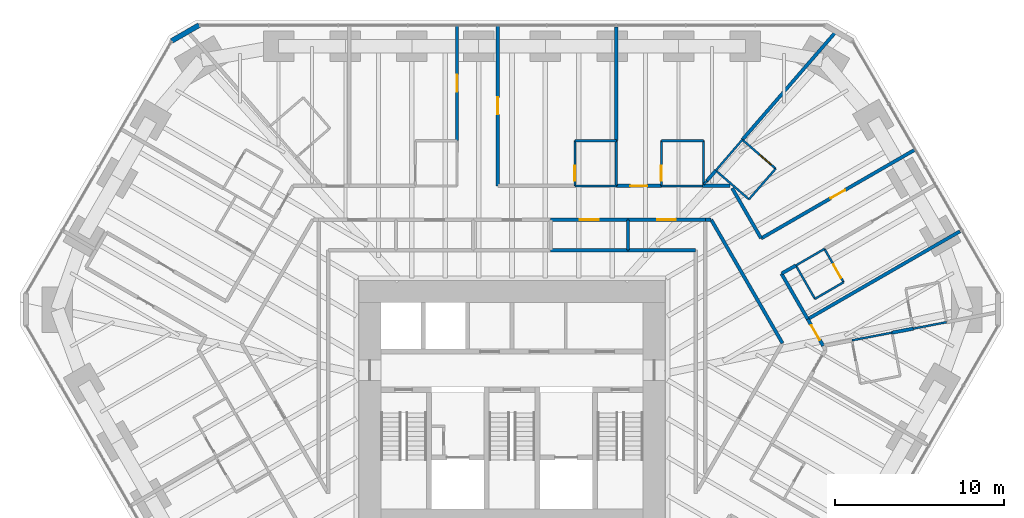
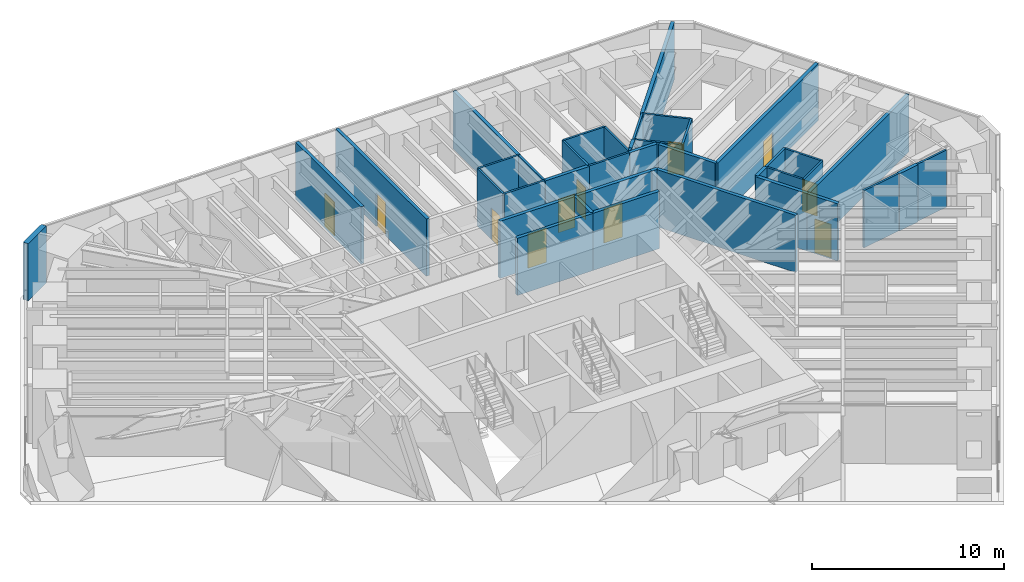
# One storey, part 15 of 17: 41 walls, 11 doors, 11 openings.
"""IFC4 building model written with IfcOpenShell, lengths in metres."""

from ifc_helpers import new_model, si_unit, direction, frame, frame_2d, origin, place, context, subcontext, project, spatial, rectangle, extrude, material, layer, layer_set, type_object, element, fill, save


model = new_model("IFC4")

# Units and contexts
model_context = context("Model", 3, precision=1e-05, world=origin(), true_north=direction((0.0, 1.0)))
body_context = subcontext(model_context, "Body", "Model", "MODEL_VIEW")
ifc_project = project(units=[si_unit("LENGTHUNIT", "METRE"), si_unit("AREAUNIT", "SQUARE_METRE"), si_unit("VOLUMEUNIT", "CUBIC_METRE"), si_unit("PLANEANGLEUNIT", "RADIAN"), si_unit("MASSUNIT", "GRAM", prefix="KILO")], contexts=[model_context])

# Site, building, storey
site_placement = place(None, origin())
site = spatial("IfcSite", under=ifc_project, at=site_placement, CompositionType="ELEMENT")
building_placement = place(site_placement, origin())
building = spatial("IfcBuilding", under=site, at=building_placement, Name="Sandreach Pilgrim Tower", CompositionType="ELEMENT")
storey_placement = place(building_placement, frame((0.0, 0.0, 127.199951171875)))
storey = spatial("IfcBuildingStorey", under=building, at=storey_placement, Name="L31", CompositionType="ELEMENT", Elevation=127.199951171875)

# Wall, opening, door
ifc_material_1 = material(Name="Moisture-resistant gypsum board on steel studs", Category="steel")
ifc_layer_1 = layer(ifc_material_1, 0.1201171875)
ifc_layer_set_1 = layer_set([ifc_layer_1], Name="Bathroom partition 120")
wall_type_1 = type_object("IfcWallType", Name="Bathroom partition 120", PredefinedType="PARTITIONING", material=ifc_layer_set_1)
wall_1_placement = place(storey_placement, frame((3.7099609375, 15.659912109375, 0.0), z_axis=(0.0, 0.0, 1.0), x_axis=(0.0, -1.0, 0.0)))
wall_1 = element("IfcWall", 1, at=wall_1_placement, inside=storey, type_object=wall_type_1, Name="Bathroom partition L31-100", PredefinedType="PARTITIONING", context=body_context, shape_type="SweptSolid", body=[
    extrude(rectangle(XDim=2.669921875, YDim=0.1201171875, at=frame_2d((1.3349609375, 0.0))), origin(), (0.0, 0.0, 1.0), 3.64013671875),
])
opening_1_placement = place(wall_1_placement, frame((1.469970703125, 0.0, 0.0)))
opening_1 = element("IfcOpeningElement", 2, at=opening_1_placement, cuts=wall_1, Name="Opening D09-03B", PredefinedType="OPENING", context=body_context, shape_type="SweptSolid", body=[
    extrude(rectangle(XDim=0.89990234375, YDim=2.030029296875, at=frame_2d((0.449951171875, 1.01513671875))), frame((0.0, 0.06005859375, 0.0), z_axis=(0.0, -1.0, 0.0), x_axis=(1.0, 0.0, 0.0)), (0.0, 0.0, 1.0), 0.1201171875),
])
ifc_material_2 = material(Name="Timber door, steel frame", Category="steel")
door_type_1 = type_object("IfcDoorType", Name="Bathroom door", OperationType="SINGLE_SWING_LEFT", PredefinedType="DOOR", material=ifc_material_2)
door_1_placement = place(opening_1_placement, origin())
door_1 = element("IfcDoor", 3, at=door_1_placement, inside=storey, type_object=door_type_1, Name="Door 3103B", OperationType="SINGLE_SWING_RIGHT", OverallHeight=2.030029296875, OverallWidth=0.89990234375, PredefinedType="DOOR", context=body_context, shape_type="SweptSolid", body=[
    extrude(rectangle(XDim=0.89990234375, YDim=2.030029296875, at=frame_2d((0.449951171875, 1.01513671875))), frame((0.0, 0.02490234375, 0.0), z_axis=(0.0, -1.0, 0.0), x_axis=(1.0, 0.0, 0.0)), (0.0, 0.0, 1.0), 0.050048828125),
])
fill(opening_1, door_1)

# Walls
for number, where, z_axis, x_axis, name in (
    (4, (6.159912109375, 12.989990234375, 0.0), (0.0, 0.0, 1.0), (-1.0, 0.0, 0.0), "Bathroom partition L31-108"),
    (5, (6.159912109375, 15.659912109375, 0.0), (0.0, 0.0, 1.0), (-1.0, 0.0, 0.0), "Bathroom partition L31-109"),
):
    element("IfcWall", number, at=place(storey_placement, frame(where, z_axis=z_axis, x_axis=x_axis)), inside=storey, type_object=wall_type_1, Name=name, PredefinedType="PARTITIONING", context=body_context, shape_type="SweptSolid", body=[
        extrude(rectangle(XDim=2.449951171875, YDim=0.1201171875, at=frame_2d((1.22509765625, 0.0))), origin(), (0.0, 0.0, 1.0), 3.64013671875),
    ])
wall_2_placement = place(storey_placement, frame((6.159912109375, 15.659912109375, 0.0), z_axis=(0.0, 0.0, 1.0), x_axis=(0.0, -1.0, 0.0)))
element("IfcWall", 6, at=wall_2_placement, inside=storey, type_object=wall_type_1, Name="Bathroom partition L31-110", PredefinedType="PARTITIONING", context=body_context, shape_type="SweptSolid", body=[
    extrude(rectangle(XDim=2.669921875, YDim=0.1201171875, at=frame_2d((1.3349609375, 0.0))), origin(), (0.0, 0.0, 1.0), 3.64013671875),
])

# Wall, opening, door
wall_3_placement = place(storey_placement, frame((8.820068359375, 15.659912109375, 0.0), z_axis=(0.0, 0.0, 1.0), x_axis=(0.0, -1.0, 0.0)))
wall_3 = element("IfcWall", 7, at=wall_3_placement, inside=storey, type_object=wall_type_1, Name="Bathroom partition L31-120", PredefinedType="PARTITIONING", context=body_context, shape_type="SweptSolid", body=[
    extrude(rectangle(XDim=2.669921875, YDim=0.1201171875, at=frame_2d((1.3349609375, 0.0))), origin(), (0.0, 0.0, 1.0), 3.64013671875),
])
opening_2_placement = place(wall_3_placement, frame((1.469970703125, 0.0, 0.0)))
opening_2 = element("IfcOpeningElement", 8, at=opening_2_placement, cuts=wall_3, Name="Opening D09-04B", PredefinedType="OPENING", context=body_context, shape_type="SweptSolid", body=[
    extrude(rectangle(XDim=0.89990234375, YDim=2.030029296875, at=frame_2d((0.449951171875, 1.01513671875))), frame((0.0, 0.06005859375, 0.0), z_axis=(0.0, -1.0, 0.0), x_axis=(1.0, 0.0, 0.0)), (0.0, 0.0, 1.0), 0.1201171875),
])
door_2_placement = place(opening_2_placement, origin())
door_2 = element("IfcDoor", 9, at=door_2_placement, inside=storey, type_object=door_type_1, Name="Door 3104B", OperationType="SINGLE_SWING_RIGHT", OverallHeight=2.030029296875, OverallWidth=0.89990234375, PredefinedType="DOOR", context=body_context, shape_type="SweptSolid", body=[
    extrude(rectangle(XDim=0.89990234375, YDim=2.030029296875, at=frame_2d((0.449951171875, 1.01513671875))), frame((0.0, 0.02490234375, 0.0), z_axis=(0.0, -1.0, 0.0), x_axis=(1.0, 0.0, 0.0)), (0.0, 0.0, 1.0), 0.050048828125),
])
fill(opening_2, door_2)

# Walls
wall_4_placement = place(storey_placement, frame((11.25, 12.989990234375, 0.0), z_axis=(0.0, 0.0, 1.0), x_axis=(-1.0, 0.0, 0.0)))
element("IfcWall", 10, at=wall_4_placement, inside=storey, type_object=wall_type_1, Name="Bathroom partition L31-126", PredefinedType="PARTITIONING", context=body_context, shape_type="SweptSolid", body=[
    extrude(rectangle(XDim=2.429931640625, YDim=0.1201171875, at=frame_2d((1.21484375, 0.0))), origin(), (0.0, 0.0, 1.0), 3.64013671875),
])
wall_5_placement = place(storey_placement, frame((11.320068359375, 13.070068359375, 0.0), z_axis=(0.0, 0.0, 1.0), x_axis=(0.0, 1.0, 0.0)))
element("IfcWall", 11, at=wall_5_placement, inside=storey, type_object=wall_type_1, Name="Bathroom partition L31-129", PredefinedType="PARTITIONING", context=body_context, shape_type="SweptSolid", body=[
    extrude(rectangle(XDim=2.58984375, YDim=0.1201171875, at=frame_2d((1.294921875, 0.0))), origin(), (0.0, 0.0, 1.0), 3.64013671875),
])
wall_6_placement = place(storey_placement, frame((11.320068359375, 15.659912109375, 0.0), z_axis=(0.0, 0.0, 1.0), x_axis=(-1.0, 0.0, 0.0)))
element("IfcWall", 12, at=wall_6_placement, inside=storey, type_object=wall_type_1, Name="Bathroom partition L31-130", PredefinedType="PARTITIONING", context=body_context, shape_type="SweptSolid", body=[
    extrude(rectangle(XDim=2.5, YDim=0.1201171875, at=frame_2d((1.25, 0.0))), origin(), (0.0, 0.0, 1.0), 3.64013671875),
])
wall_7_placement = place(storey_placement, frame((11.33642578125, 13.0888671875, 0.0), z_axis=(0.0, 0.0, 1.0), x_axis=(0.65328489719, 0.757112173396, 0.0)))
element("IfcWall", 13, at=wall_7_placement, inside=storey, type_object=wall_type_1, Name="Bathroom partition L31-131", PredefinedType="PARTITIONING", context=body_context, shape_type="SweptSolid", body=[
    extrude(rectangle(XDim=0.265625, YDim=0.1201171875, at=frame_2d((0.1328125, 0.0))), origin(), (0.0, 0.0, 1.0), 3.64013671875),
])
wall_8_placement = place(storey_placement, frame((12.0390625, 13.90087890625, 0.0), z_axis=(0.0, 0.0, 1.0), x_axis=(0.653622514847, 0.756820723874, 0.0)))
element("IfcWall", 14, at=wall_8_placement, inside=storey, type_object=wall_type_1, Name="Bathroom partition L31-137", PredefinedType="PARTITIONING", context=body_context, shape_type="SweptSolid", body=[
    extrude(rectangle(XDim=2.403564453125, YDim=0.1201171875, at=frame_2d((1.20166015625, 0.0))), origin(), (0.0, 0.0, 1.0), 3.64013671875),
])
wall_9_placement = place(storey_placement, frame((12.0400390625, 13.89990234375, 0.0), z_axis=(0.0, 0.0, 1.0), x_axis=(0.755437535555, -0.655220672655, 0.0)))
element("IfcWall", 15, at=wall_9_placement, inside=storey, type_object=wall_type_1, Name="Bathroom partition L31-138", PredefinedType="PARTITIONING", context=body_context, shape_type="SweptSolid", body=[
    extrude(rectangle(XDim=2.594482421875, YDim=0.1201171875, at=frame_2d((1.29736328125, 0.0))), origin(), (0.0, 0.0, 1.0), 3.64013671875),
])
wall_10_placement = place(storey_placement, frame((14.0, 12.199951171875, 0.0), z_axis=(0.0, 0.0, 1.0), x_axis=(0.657626528627, 0.753344110514, 0.0)))
element("IfcWall", 16, at=wall_10_placement, inside=storey, type_object=wall_type_1, Name="Bathroom partition L31-144", PredefinedType="PARTITIONING", context=body_context, shape_type="SweptSolid", body=[
    extrude(rectangle(XDim=2.402587890625, YDim=0.1201171875, at=frame_2d((1.201171875, 0.0))), origin(), (0.0, 0.0, 1.0), 3.64013671875),
])

# Wall, opening, door
wall_11_placement = place(storey_placement, frame((15.580078125, 14.010009765625, 0.0), z_axis=(0.0, 0.0, 1.0), x_axis=(-0.755185511235, 0.655511131576, 0.0)))
wall_11 = element("IfcWall", 17, at=wall_11_placement, inside=storey, type_object=wall_type_1, Name="Bathroom partition L31-148", PredefinedType="PARTITIONING", context=body_context, shape_type="SweptSolid", body=[
    extrude(rectangle(XDim=2.608642578125, YDim=0.1201171875, at=frame_2d((1.30419921875, 0.0))), origin(), (0.0, 0.0, 1.0), 3.64013671875),
])
opening_3_placement = place(wall_11_placement, frame((0.35009765625, 0.0, 0.0)))
opening_3 = element("IfcOpeningElement", 18, at=opening_3_placement, cuts=wall_11, Name="Opening D09-05B", PredefinedType="OPENING", context=body_context, shape_type="SweptSolid", body=[
    extrude(rectangle(XDim=0.89990234375, YDim=2.030029296875, at=frame_2d((0.449951171875, 1.01513671875))), frame((0.0, 0.06005859375, 0.0), z_axis=(0.0, -1.0, 0.0), x_axis=(1.0, 0.0, 0.0)), (0.0, 0.0, 1.0), 0.1201171875),
])
door_3_placement = place(opening_3_placement, origin())
door_3 = element("IfcDoor", 19, at=door_3_placement, inside=storey, type_object=door_type_1, Name="Door 3105B", OperationType="SINGLE_SWING_LEFT", OverallHeight=2.030029296875, OverallWidth=0.89990234375, PredefinedType="DOOR", context=body_context, shape_type="SweptSolid", body=[
    extrude(rectangle(XDim=0.89990234375, YDim=2.030029296875, at=frame_2d((0.449951171875, 1.01513671875))), frame((0.0, 0.02490234375, 0.0), z_axis=(0.0, -1.0, 0.0), x_axis=(1.0, 0.0, 0.0)), (0.0, 0.0, 1.0), 0.050048828125),
])
fill(opening_3, door_3)

# Walls
wall_12_placement = place(storey_placement, frame((16.77001953125, 8.2900390625, 0.0), z_axis=(0.0, 0.0, 1.0), x_axis=(0.497527583083, -0.867448156417, 0.0)))
element("IfcWall", 20, at=wall_12_placement, inside=storey, type_object=wall_type_1, Name="Bathroom partition L31-154", PredefinedType="PARTITIONING", context=body_context, shape_type="SweptSolid", body=[
    extrude(rectangle(XDim=2.27099609375, YDim=0.1201171875, at=frame_2d((1.135498046875, 0.0))), origin(), (0.0, 0.0, 1.0), 3.64013671875),
])
wall_13_placement = place(storey_placement, frame((16.77001953125, 8.2900390625, 0.0), z_axis=(0.0, 0.0, 1.0), x_axis=(0.86507240805, 0.501647016168, 0.0)))
element("IfcWall", 21, at=wall_13_placement, inside=storey, type_object=wall_type_1, Name="Bathroom partition L31-155", PredefinedType="PARTITIONING", context=body_context, shape_type="SweptSolid", body=[
    extrude(rectangle(XDim=1.95361328125, YDim=0.1201171875, at=frame_2d((0.976806640625, 0.0))), origin(), (0.0, 0.0, 1.0), 3.64013671875),
])
wall_14_placement = place(storey_placement, frame((17.89990234375, 6.320068359375, 0.0), z_axis=(0.0, 0.0, 1.0), x_axis=(0.865103852711, 0.501592787055, 0.0)))
element("IfcWall", 22, at=wall_14_placement, inside=storey, type_object=wall_type_1, Name="Bathroom partition L31-159", PredefinedType="PARTITIONING", context=body_context, shape_type="SweptSolid", body=[
    extrude(rectangle(XDim=1.953857421875, YDim=0.1201171875, at=frame_2d((0.97705078125, 0.0))), origin(), (0.0, 0.0, 1.0), 3.64013671875),
])

# Wall, opening, door
wall_15_placement = place(storey_placement, frame((19.590087890625, 7.300048828125, 0.0), z_axis=(0.0, 0.0, 1.0), x_axis=(-0.49760846958, 0.867401758704, 0.0)))
wall_15 = element("IfcWall", 23, at=wall_15_placement, inside=storey, type_object=wall_type_1, Name="Bathroom partition L31-163", PredefinedType="PARTITIONING", context=body_context, shape_type="SweptSolid", body=[
    extrude(rectangle(XDim=2.27099609375, YDim=0.1201171875, at=frame_2d((1.135498046875, 0.0))), origin(), (0.0, 0.0, 1.0), 3.64013671875),
])
opening_4_placement = place(wall_15_placement, frame((0.300048828125, 0.0, 0.0)))
opening_4 = element("IfcOpeningElement", 24, at=opening_4_placement, cuts=wall_15, Name="Opening D09-06B", PredefinedType="OPENING", context=body_context, shape_type="SweptSolid", body=[
    extrude(rectangle(XDim=0.89990234375, YDim=2.030029296875, at=frame_2d((0.449951171875, 1.01513671875))), frame((0.0, 0.06005859375, 0.0), z_axis=(0.0, -1.0, 0.0), x_axis=(1.0, 0.0, 0.0)), (0.0, 0.0, 1.0), 0.1201171875),
])
door_4_placement = place(opening_4_placement, origin())
door_4 = element("IfcDoor", 25, at=door_4_placement, inside=storey, type_object=door_type_1, Name="Door 3106B", OperationType="SINGLE_SWING_LEFT", OverallHeight=2.030029296875, OverallWidth=0.89990234375, PredefinedType="DOOR", context=body_context, shape_type="SweptSolid", body=[
    extrude(rectangle(XDim=0.89990234375, YDim=2.030029296875, at=frame_2d((0.449951171875, 1.01513671875))), frame((0.0, 0.02490234375, 0.0), z_axis=(0.0, -1.0, 0.0), x_axis=(1.0, 0.0, 0.0)), (0.0, 0.0, 1.0), 0.050048828125),
])
fill(opening_4, door_4)

# Walls
wall_16_placement = place(storey_placement, frame((20.090087890625, 3.8701171875, 0.0), z_axis=(0.0, 0.0, 1.0), x_axis=(0.982303859288, 0.187294228499, 0.0)))
element("IfcWall", 26, at=wall_16_placement, inside=storey, type_object=wall_type_1, Name="Bathroom partition L31-165", PredefinedType="PARTITIONING", context=body_context, shape_type="SweptSolid", body=[
    extrude(rectangle(XDim=2.40234375, YDim=0.1201171875, at=frame_2d((1.201171875, 0.0))), origin(), (0.0, 0.0, 1.0), 3.64013671875),
])
wall_17_placement = place(storey_placement, frame((23.7099609375, 4.56005859375, 0.0), z_axis=(0.0, 0.0, 1.0), x_axis=(0.981729772821, 0.190280459207, 0.0)))
element("IfcWall", 27, at=wall_17_placement, inside=storey, type_object=wall_type_1, Name="Bathroom partition L31-170", PredefinedType="PARTITIONING", context=body_context, shape_type="SweptSolid", body=[
    extrude(rectangle(XDim=1.996337890625, YDim=0.1201171875, at=frame_2d((0.998046875, 0.0))), origin(), (0.0, 0.0, 1.0), 3.64013671875),
])

# Wall, opening, door
ifc_material_3 = material(Name="Gypsum board on steel studs, two layers each side", Category="steel")
ifc_layer_2 = layer(ifc_material_3, 0.199951171875)
ifc_layer_set_2 = layer_set([ifc_layer_2], Name="Corridor wall 200")
wall_type_2 = type_object("IfcWallType", Name="Corridor wall 200", PredefinedType="PARTITIONING", material=ifc_layer_set_2)
wall_18_placement = place(storey_placement, frame((-3.25, 22.4599609375, 0.0), z_axis=(0.0, 0.0, 1.0), x_axis=(0.0, -1.0, 0.0)))
wall_18 = element("IfcWall", 28, at=wall_18_placement, inside=storey, type_object=wall_type_2, Name="Corridor wall L31-082", PredefinedType="PARTITIONING", context=body_context, shape_type="SweptSolid", body=[
    extrude(rectangle(XDim=6.800048828125, YDim=0.199951171875, at=frame_2d((3.39990234375, 0.0))), origin(), (0.0, 0.0, 1.0), 3.64013671875),
])
opening_5_placement = place(wall_18_placement, frame((2.89990234375, 0.0, 0.0)))
opening_5 = element("IfcOpeningElement", 29, at=opening_5_placement, cuts=wall_18, Name="Opening D10-02", PredefinedType="OPENING", context=body_context, shape_type="SweptSolid", body=[
    extrude(rectangle(XDim=1.0, YDim=2.1298828125, at=frame_2d((0.5, 1.06494140625))), frame((0.0, 0.10009765625, 0.0), z_axis=(0.0, -1.0, 0.0), x_axis=(1.0, 0.0, 0.0)), (0.0, 0.0, 1.0), 0.199951171875),
])
ifc_material_4 = material(Name="Steel door and frame", Category="steel")
door_type_2 = type_object("IfcDoorType", Name="Guest room entry door", OperationType="SINGLE_SWING_LEFT", PredefinedType="DOOR", material=ifc_material_4)
door_5_placement = place(opening_5_placement, origin())
door_5 = element("IfcDoor", 30, at=door_5_placement, inside=storey, type_object=door_type_2, Name="Door 3102", OperationType="SINGLE_SWING_LEFT", OverallHeight=2.1298828125, OverallWidth=1.0, PredefinedType="DOOR", context=body_context, shape_type="SweptSolid", body=[
    extrude(rectangle(XDim=1.0, YDim=2.1298828125, at=frame_2d((0.5, 1.06494140625))), frame((0.0, 0.02490234375, 0.0), z_axis=(0.0, -1.0, 0.0), x_axis=(1.0, 0.0, 0.0)), (0.0, 0.0, 1.0), 0.050048828125),
])
fill(opening_5, door_5)

wall_19_placement = place(storey_placement, frame((-0.85009765625, 12.989990234375, 0.0), z_axis=(0.0, 0.0, 1.0), x_axis=(0.0, 1.0, 0.0)))
wall_19 = element("IfcWall", 31, at=wall_19_placement, inside=storey, type_object=wall_type_2, Name="Corridor wall L31-091", PredefinedType="PARTITIONING", context=body_context, shape_type="SweptSolid", body=[
    extrude(rectangle(XDim=9.469970703125, YDim=0.199951171875, at=frame_2d((4.73486328125, 0.0))), origin(), (0.0, 0.0, 1.0), 3.64013671875),
])
opening_6_placement = place(wall_19_placement, frame((4.235107421875, 0.0, 0.0)))
opening_6 = element("IfcOpeningElement", 32, at=opening_6_placement, cuts=wall_19, Name="Opening D10-03", PredefinedType="OPENING", context=body_context, shape_type="SweptSolid", body=[
    extrude(rectangle(XDim=1.0, YDim=2.1298828125, at=frame_2d((0.5, 1.06494140625))), frame((0.0, 0.10009765625, 0.0), z_axis=(0.0, -1.0, 0.0), x_axis=(1.0, 0.0, 0.0)), (0.0, 0.0, 1.0), 0.199951171875),
])
door_6_placement = place(opening_6_placement, origin())
door_6 = element("IfcDoor", 33, at=door_6_placement, inside=storey, type_object=door_type_2, Name="Door 3103", OperationType="SINGLE_SWING_LEFT", OverallHeight=2.1298828125, OverallWidth=1.0, PredefinedType="DOOR", context=body_context, shape_type="SweptSolid", body=[
    extrude(rectangle(XDim=1.0, YDim=2.1298828125, at=frame_2d((0.5, 1.06494140625))), frame((0.0, 0.02490234375, 0.0), z_axis=(0.0, -1.0, 0.0), x_axis=(1.0, 0.0, 0.0)), (0.0, 0.0, 1.0), 0.050048828125),
])
fill(opening_6, door_6)

wall_20_placement = place(storey_placement, frame((2.280029296875, 10.989990234375, 0.0), z_axis=(0.0, 0.0, 1.0), x_axis=(1.0, 0.0, 0.0)))
wall_20 = element("IfcWall", 34, at=wall_20_placement, inside=storey, type_object=wall_type_2, Name="Corridor wall L31-096", PredefinedType="PARTITIONING", context=body_context, shape_type="SweptSolid", body=[
    extrude(rectangle(XDim=4.570068359375, YDim=0.199951171875, at=frame_2d((2.28515625, 0.0))), origin(), (0.0, 0.0, 1.0), 3.64013671875),
])
opening_7_placement = place(wall_20_placement, frame((1.735107421875, 0.0, 0.0)))
opening_7 = element("IfcOpeningElement", 35, at=opening_7_placement, cuts=wall_20, Name="Opening D11H-M05", PredefinedType="OPENING", context=body_context, shape_type="SweptSolid", body=[
    extrude(rectangle(XDim=1.10009765625, YDim=2.199951171875, at=frame_2d((0.550048828125, 1.10009765625))), frame((0.0, 0.10009765625, 0.0), z_axis=(0.0, -1.0, 0.0), x_axis=(1.0, 0.0, 0.0)), (0.0, 0.0, 1.0), 0.199951171875),
])
ifc_material_5 = material(Name="Steel door and frame", Category="steel")
door_type_3 = type_object("IfcDoorType", Name="Back of house door", OperationType="SINGLE_SWING_LEFT", PredefinedType="DOOR", material=ifc_material_5)
door_7_placement = place(opening_7_placement, origin())
door_7 = element("IfcDoor", 36, at=door_7_placement, inside=storey, type_object=door_type_3, Name="Door 31M05", OperationType="SINGLE_SWING_LEFT", OverallHeight=2.199951171875, OverallWidth=1.10009765625, PredefinedType="DOOR", context=body_context, shape_type="SweptSolid", body=[
    extrude(rectangle(XDim=1.10009765625, YDim=2.199951171875, at=frame_2d((0.550048828125, 1.10009765625))), frame((0.0, 0.02490234375, 0.0), z_axis=(0.0, -1.0, 0.0), x_axis=(1.0, 0.0, 0.0)), (0.0, 0.0, 1.0), 0.050048828125),
])
fill(opening_7, door_7)

# Wall
wall_21_placement = place(storey_placement, frame((6.85009765625, 9.199951171875, 0.0), z_axis=(0.0, 0.0, 1.0), x_axis=(-1.0, 0.0, 0.0)))
element("IfcWall", 37, at=wall_21_placement, inside=storey, type_object=wall_type_2, Name="Corridor wall L31-113", PredefinedType="PARTITIONING", context=body_context, shape_type="SweptSolid", body=[
    extrude(rectangle(XDim=4.570068359375, YDim=0.199951171875, at=frame_2d((2.28515625, 0.0))), origin(), (0.0, 0.0, 1.0), 3.64013671875),
])

# Wall, opening, door
wall_22_placement = place(storey_placement, frame((6.85009765625, 10.989990234375, 0.0), z_axis=(0.0, 0.0, 1.0), x_axis=(1.0, 0.0, 0.0)))
wall_22 = element("IfcWall", 38, at=wall_22_placement, inside=storey, type_object=wall_type_2, Name="Corridor wall L31-115", PredefinedType="PARTITIONING", context=body_context, shape_type="SweptSolid", body=[
    extrude(rectangle(XDim=4.56982421875, YDim=0.199951171875, at=frame_2d((2.284912109375, 0.0))), origin(), (0.0, 0.0, 1.0), 3.64013671875),
])
opening_8_placement = place(wall_22_placement, frame((1.735107421875, 0.0, 0.0)))
opening_8 = element("IfcOpeningElement", 39, at=opening_8_placement, cuts=wall_22, Name="Opening D11H-M06", PredefinedType="OPENING", context=body_context, shape_type="SweptSolid", body=[
    extrude(rectangle(XDim=1.10009765625, YDim=2.199951171875, at=frame_2d((0.550048828125, 1.10009765625))), frame((0.0, 0.10009765625, 0.0), z_axis=(0.0, -1.0, 0.0), x_axis=(1.0, 0.0, 0.0)), (0.0, 0.0, 1.0), 0.199951171875),
])
door_8_placement = place(opening_8_placement, origin())
door_8 = element("IfcDoor", 40, at=door_8_placement, inside=storey, type_object=door_type_3, Name="Door 31M06", OperationType="SINGLE_SWING_LEFT", OverallHeight=2.199951171875, OverallWidth=1.10009765625, PredefinedType="DOOR", context=body_context, shape_type="SweptSolid", body=[
    extrude(rectangle(XDim=1.10009765625, YDim=2.199951171875, at=frame_2d((0.550048828125, 1.10009765625))), frame((0.0, 0.02490234375, 0.0), z_axis=(0.0, -1.0, 0.0), x_axis=(1.0, 0.0, 0.0)), (0.0, 0.0, 1.0), 0.050048828125),
])
fill(opening_8, door_8)

wall_23_placement = place(storey_placement, frame((8.820068359375, 12.989990234375, 0.0), z_axis=(0.0, 0.0, 1.0), x_axis=(-1.0, 0.0, 0.0)))
wall_23 = element("IfcWall", 41, at=wall_23_placement, inside=storey, type_object=wall_type_2, Name="Corridor wall L31-119", PredefinedType="PARTITIONING", context=body_context, shape_type="SweptSolid", body=[
    extrude(rectangle(XDim=2.66015625, YDim=0.199951171875, at=frame_2d((1.330078125, 0.0))), origin(), (0.0, 0.0, 1.0), 3.64013671875),
])
opening_9_placement = place(wall_23_placement, frame((0.830078125, 0.0, 0.0)))
opening_9 = element("IfcOpeningElement", 42, at=opening_9_placement, cuts=wall_23, Name="Opening D10-04", PredefinedType="OPENING", context=body_context, shape_type="SweptSolid", body=[
    extrude(rectangle(XDim=1.0, YDim=2.1298828125, at=frame_2d((0.5, 1.06494140625))), frame((0.0, 0.10009765625, 0.0), z_axis=(0.0, -1.0, 0.0), x_axis=(1.0, 0.0, 0.0)), (0.0, 0.0, 1.0), 0.199951171875),
])
door_9_placement = place(opening_9_placement, origin())
door_9 = element("IfcDoor", 43, at=door_9_placement, inside=storey, type_object=door_type_2, Name="Door 3104", OperationType="SINGLE_SWING_LEFT", OverallHeight=2.1298828125, OverallWidth=1.0, PredefinedType="DOOR", context=body_context, shape_type="SweptSolid", body=[
    extrude(rectangle(XDim=1.0, YDim=2.1298828125, at=frame_2d((0.5, 1.06494140625))), frame((0.0, 0.02490234375, 0.0), z_axis=(0.0, -1.0, 0.0), x_axis=(1.0, 0.0, 0.0)), (0.0, 0.0, 1.0), 0.050048828125),
])
fill(opening_9, door_9)

# Walls
wall_24_placement = place(storey_placement, frame((10.840087890625, 9.199951171875, 0.0), z_axis=(0.0, 0.0, 1.0), x_axis=(-1.0, 0.0, 0.0)))
element("IfcWall", 44, at=wall_24_placement, inside=storey, type_object=wall_type_2, Name="Corridor wall L31-124", PredefinedType="PARTITIONING", context=body_context, shape_type="SweptSolid", body=[
    extrude(rectangle(XDim=3.989990234375, YDim=0.199951171875, at=frame_2d((1.9951171875, 0.0))), origin(), (0.0, 0.0, 1.0), 3.64013671875),
])
wall_25_placement = place(storey_placement, frame((11.419921875, 10.989990234375, 0.0), z_axis=(0.0, 0.0, 1.0), x_axis=(1.0, 0.0, 0.0)))
element("IfcWall", 45, at=wall_25_placement, inside=storey, type_object=wall_type_2, Name="Corridor wall L31-134", PredefinedType="PARTITIONING", context=body_context, shape_type="SweptSolid", body=[
    extrude(rectangle(XDim=0.35009765625, YDim=0.199951171875, at=frame_2d((0.175048828125, 0.0))), origin(), (0.0, 0.0, 1.0), 3.64013671875),
])
wall_26_placement = place(storey_placement, frame((11.77001953125, 10.989990234375, 0.0), z_axis=(0.0, 0.0, 1.0), x_axis=(0.500093981358, -0.865971136822, 0.0)))
element("IfcWall", 46, at=wall_26_placement, inside=storey, type_object=wall_type_2, Name="Corridor wall L31-136", PredefinedType="PARTITIONING", context=body_context, shape_type="SweptSolid", body=[
    extrude(rectangle(XDim=8.41845703125, YDim=0.199951171875, at=frame_2d((4.209228515625, 0.0))), origin(), (0.0, 0.0, 1.0), 3.64013671875),
])
wall_27_placement = place(storey_placement, frame((12.885009765625, 12.989990234375, 0.0), z_axis=(0.0, 0.0, 1.0), x_axis=(-1.0, 0.0, 0.0)))
element("IfcWall", 47, at=wall_27_placement, inside=storey, type_object=wall_type_2, Name="Corridor wall L31-140", PredefinedType="PARTITIONING", context=body_context, shape_type="SweptSolid", body=[
    extrude(rectangle(XDim=1.635009765625, YDim=0.199951171875, at=frame_2d((0.8173828125, 0.0))), origin(), (0.0, 0.0, 1.0), 3.64013671875),
])
wall_28_placement = place(storey_placement, frame((13.005126953125, 12.860107421875, 0.0), z_axis=(0.0, 0.0, 1.0), x_axis=(0.500007161152, -0.866021269252, 0.0)))
element("IfcWall", 48, at=wall_28_placement, inside=storey, type_object=wall_type_2, Name="Corridor wall L31-142", PredefinedType="PARTITIONING", context=body_context, shape_type="SweptSolid", body=[
    extrude(rectangle(XDim=3.41455078125, YDim=0.199951171875, at=frame_2d((1.707275390625, 0.0))), origin(), (0.0, 0.0, 1.0), 3.64013671875),
])
wall_29_placement = place(storey_placement, frame((15.919921875, 7.81005859375, 0.0), z_axis=(0.0, 0.0, 1.0), x_axis=(0.499277611559, -0.866442073422, 0.0)))
element("IfcWall", 49, at=wall_29_placement, inside=storey, type_object=wall_type_2, Name="Corridor wall L31-149", PredefinedType="PARTITIONING", context=body_context, shape_type="SweptSolid", body=[
    extrude(rectangle(XDim=3.1044921875, YDim=0.199951171875, at=frame_2d((1.55224609375, 0.0))), origin(), (0.0, 0.0, 1.0), 3.64013671875),
])
wall_30_placement = place(storey_placement, frame((15.93310546875, 7.8173828125, 0.0), z_axis=(0.0, 0.0, 1.0), x_axis=(0.870733094426, 0.491755913305, 0.0)))
element("IfcWall", 50, at=wall_30_placement, inside=storey, type_object=wall_type_2, Name="Corridor wall L31-150", PredefinedType="PARTITIONING", context=body_context, shape_type="SweptSolid", body=[
    extrude(rectangle(XDim=0.961181640625, YDim=0.199951171875, at=frame_2d((0.48046875, 0.0))), origin(), (0.0, 0.0, 1.0), 3.64013671875),
])

# Wall, opening, door
wall_31_placement = place(storey_placement, frame((17.469970703125, 5.1201171875, 0.0), z_axis=(0.0, 0.0, 1.0), x_axis=(0.501536229379, -0.865136642745, 0.0)))
wall_31 = element("IfcWall", 51, at=wall_31_placement, inside=storey, type_object=wall_type_2, Name="Corridor wall L31-157", PredefinedType="PARTITIONING", context=body_context, shape_type="SweptSolid", body=[
    extrude(rectangle(XDim=1.828369140625, YDim=0.199951171875, at=frame_2d((0.9140625, 0.0))), origin(), (0.0, 0.0, 1.0), 3.64013671875),
])
opening_10_placement = place(wall_31_placement, frame((0.414306640625, 0.0, 0.0)))
opening_10 = element("IfcOpeningElement", 52, at=opening_10_placement, cuts=wall_31, Name="Opening D10-07", PredefinedType="OPENING", context=body_context, shape_type="SweptSolid", body=[
    extrude(rectangle(XDim=1.0, YDim=2.1298828125, at=frame_2d((0.5, 1.06494140625))), frame((0.0, 0.10009765625, 0.0), z_axis=(0.0, -1.0, 0.0), x_axis=(1.0, 0.0, 0.0)), (0.0, 0.0, 1.0), 0.199951171875),
])
door_10_placement = place(opening_10_placement, origin())
door_10 = element("IfcDoor", 53, at=door_10_placement, inside=storey, type_object=door_type_2, Name="Door 3107", OperationType="SINGLE_SWING_LEFT", OverallHeight=2.1298828125, OverallWidth=1.0, PredefinedType="DOOR", context=body_context, shape_type="SweptSolid", body=[
    extrude(rectangle(XDim=1.0, YDim=2.1298828125, at=frame_2d((0.5, 1.06494140625))), frame((0.0, 0.02490234375, 0.0), z_axis=(0.0, -1.0, 0.0), x_axis=(1.0, 0.0, 0.0)), (0.0, 0.0, 1.0), 0.050048828125),
])
fill(opening_10, door_10)

wall_32_placement = place(storey_placement, frame((23.7939453125, 15.125, 0.0), z_axis=(0.0, 0.0, 1.0), x_axis=(-0.866190629897, -0.499713710718, 0.0)))
wall_32 = element("IfcWall", 54, at=wall_32_placement, inside=storey, type_object=wall_type_2, Name="Corridor wall L31-171", PredefinedType="PARTITIONING", context=body_context, shape_type="SweptSolid", body=[
    extrude(rectangle(XDim=10.475830078125, YDim=0.199951171875, at=frame_2d((5.23779296875, 0.0))), origin(), (0.0, 0.0, 1.0), 3.64013671875),
])
opening_11_placement = place(wall_32_placement, frame((4.73779296875, 0.0, 0.0)))
opening_11 = element("IfcOpeningElement", 55, at=opening_11_placement, cuts=wall_32, Name="Opening D10-05", PredefinedType="OPENING", context=body_context, shape_type="SweptSolid", body=[
    extrude(rectangle(XDim=1.0, YDim=2.1298828125, at=frame_2d((0.5, 1.06494140625))), frame((0.0, 0.10009765625, 0.0), z_axis=(0.0, -1.0, 0.0), x_axis=(1.0, 0.0, 0.0)), (0.0, 0.0, 1.0), 0.199951171875),
])
door_11_placement = place(opening_11_placement, origin())
door_11 = element("IfcDoor", 56, at=door_11_placement, inside=storey, type_object=door_type_2, Name="Door 3105", OperationType="SINGLE_SWING_LEFT", OverallHeight=2.1298828125, OverallWidth=1.0, PredefinedType="DOOR", context=body_context, shape_type="SweptSolid", body=[
    extrude(rectangle(XDim=1.0, YDim=2.1298828125, at=frame_2d((0.5, 1.06494140625))), frame((0.0, 0.02490234375, 0.0), z_axis=(0.0, -1.0, 0.0), x_axis=(1.0, 0.0, 0.0)), (0.0, 0.0, 1.0), 0.050048828125),
])
fill(opening_11, door_11)

# Walls
ifc_material_6 = material(Name="Double steel stud acoustic wall, gypsum board", Category="steel")
ifc_layer_3 = layer(ifc_material_6, 0.199951171875)
ifc_layer_set_3 = layer_set([ifc_layer_3], Name="Party wall 200")
wall_type_3 = type_object("IfcWallType", Name="Party wall 200", PredefinedType="PARTITIONING", material=ifc_layer_set_3)
wall_33_placement = place(storey_placement, frame((6.159912109375, 22.3701171875, 0.0), z_axis=(0.0, 0.0, 1.0), x_axis=(0.0, -1.0, 0.0)))
element("IfcWall", 57, at=wall_33_placement, inside=storey, type_object=wall_type_3, Name="Party wall L31-111", PredefinedType="PARTITIONING", context=body_context, shape_type="SweptSolid", body=[
    extrude(rectangle(XDim=6.710205078125, YDim=0.199951171875, at=frame_2d((3.35498046875, 0.0))), origin(), (0.0, 0.0, 1.0), 3.64013671875),
])
wall_34_placement = place(storey_placement, frame((6.85009765625, 10.97998046875, 0.0), z_axis=(0.0, 0.0, 1.0), x_axis=(0.0, -1.0, 0.0)))
element("IfcWall", 58, at=wall_34_placement, inside=storey, type_object=wall_type_3, Name="Party wall L31-114", PredefinedType="PARTITIONING", context=body_context, shape_type="SweptSolid", body=[
    extrude(rectangle(XDim=1.77001953125, YDim=0.199951171875, at=frame_2d((0.885009765625, 0.0))), origin(), (0.0, 0.0, 1.0), 3.64013671875),
])
wall_35_placement = place(storey_placement, frame((11.510009765625, 13.2900390625, 0.0), z_axis=(0.0, 0.0, 1.0), x_axis=(0.655976713225, 0.754781128345, 0.0)))
element("IfcWall", 59, at=wall_35_placement, inside=storey, type_object=wall_type_3, Name="Party wall L31-135", PredefinedType="PARTITIONING", context=body_context, shape_type="SweptSolid", body=[
    extrude(rectangle(XDim=0.80810546875, YDim=0.199951171875, at=frame_2d((0.404052734375, 0.0))), origin(), (0.0, 0.0, 1.0), 3.64013671875),
])
wall_36_placement = place(storey_placement, frame((13.610107421875, 15.719970703125, 0.0), z_axis=(0.0, 0.0, 1.0), x_axis=(0.654752892245, 0.75584300625, 0.0)))
element("IfcWall", 60, at=wall_36_placement, inside=storey, type_object=wall_type_3, Name="Party wall L31-143", PredefinedType="PARTITIONING", context=body_context, shape_type="SweptSolid", body=[
    extrude(rectangle(XDim=8.476806640625, YDim=0.199951171875, at=frame_2d((4.23828125, 0.0))), origin(), (0.0, 0.0, 1.0), 3.64013671875),
])
wall_37_placement = place(storey_placement, frame((22.449951171875, 4.320068359375, 0.0), z_axis=(0.0, 0.0, 1.0), x_axis=(0.982340232372, 0.187103361446, 0.0)))
element("IfcWall", 61, at=wall_37_placement, inside=storey, type_object=wall_type_3, Name="Party wall L31-167", PredefinedType="PARTITIONING", context=body_context, shape_type="SweptSolid", body=[
    extrude(rectangle(XDim=1.28271484375, YDim=0.199951171875, at=frame_2d((0.641357421875, 0.0))), origin(), (0.0, 0.0, 1.0), 3.64013671875),
])
wall_38_placement = place(storey_placement, frame((26.466064453125, 10.31005859375, 0.0), z_axis=(0.0, 0.0, 1.0), x_axis=(-0.866184410312, -0.499724491428, 0.0)))
element("IfcWall", 62, at=wall_38_placement, inside=storey, type_object=wall_type_3, Name="Party wall L31-176", PredefinedType="PARTITIONING", context=body_context, shape_type="SweptSolid", body=[
    extrude(rectangle(XDim=10.370849609375, YDim=0.199951171875, at=frame_2d((5.185546875, 0.0))), origin(), (0.0, 0.0, 1.0), 3.64013671875),
])
ifc_material_7 = material(Name="Terracotta rainscreen on concrete", Category="masonry")
ifc_layer_4 = layer(ifc_material_7, 0.300048828125)
ifc_layer_set_4 = layer_set([ifc_layer_4], Name="Terracotta chamfer pier")
wall_type_4 = type_object("IfcWallType", Name="Terracotta chamfer pier", PredefinedType="SOLIDWALL", material=ifc_layer_set_4)
wall_39_placement = place(storey_placement, frame((-20.109619140625, 21.5537109375, 0.0), z_axis=(0.0, 0.0, 1.0), x_axis=(0.865988793993, 0.500063404658, 0.0)))
element("IfcWall", 63, at=wall_39_placement, inside=storey, type_object=wall_type_4, Name="Chamfer pier L31 NW", PredefinedType="SOLIDWALL", context=body_context, shape_type="SweptSolid", body=[
    extrude(rectangle(XDim=1.880126953125, YDim=0.300048828125, at=frame_2d((0.93994140625, 0.0))), origin(), (0.0, 0.0, 1.0), 3.64013671875),
])

save(model, "model.ifc")
